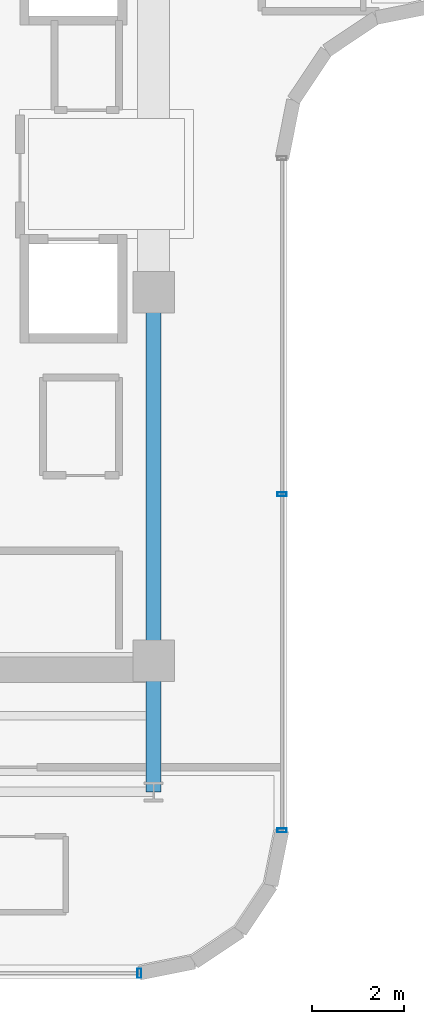
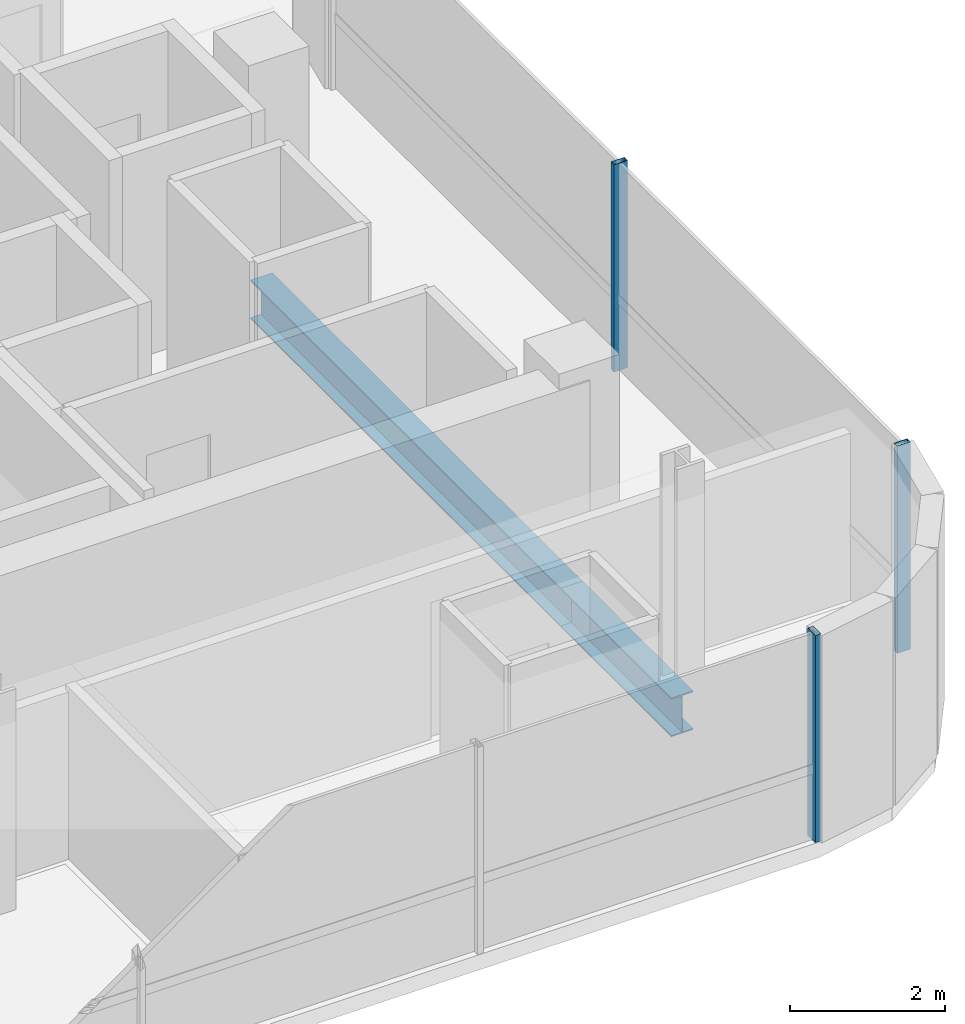
# One storey, part 5 of 22: 3 members, 2 beams, 2 elements without a shape of their own.
"""IFC4 building model written with IfcOpenShell, lengths in metres."""

from ifc_helpers import new_model, si_unit, direction, frame, origin, origin_2d, place, context, subcontext, project, spatial, hollow_rectangle, i_section, extrude, source, transform, mapped, material, material_profile, profile_set, type_object, element, aggregate, save


model = new_model("IFC4")

# Units and contexts
model_context = context("Model", 3, precision=1e-05, world=origin(), true_north=direction((0.0, 1.0)))
body_context = subcontext(model_context, "Body", "Model", "MODEL_VIEW")
ifc_project = project(units=[si_unit("LENGTHUNIT", "METRE"), si_unit("AREAUNIT", "SQUARE_METRE"), si_unit("VOLUMEUNIT", "CUBIC_METRE"), si_unit("PLANEANGLEUNIT", "RADIAN"), si_unit("MASSUNIT", "GRAM", prefix="KILO")], contexts=[model_context])

# Site, building, storey
site_placement = place(None, origin())
site = spatial("IfcSite", under=ifc_project, at=site_placement, CompositionType="ELEMENT")
building_placement = place(site_placement, origin())
building = spatial("IfcBuilding", under=site, at=building_placement, Name="Valdorenza Pilgrim Sanctuary Tower", CompositionType="ELEMENT")
storey_placement = place(building_placement, frame((0.0, 0.0, 212.5)))
storey = spatial("IfcBuildingStorey", under=building, at=storey_placement, Name="L54", CompositionType="ELEMENT", Elevation=212.5)

# Beams
ifc_material_1 = material(Name="Steel ASTM A992 Grade 50", Category="steel")
ifc_material_profile_1 = material_profile(ifc_material_1, i_section(OverallWidth=0.323974609375, OverallDepth=0.611083984375, WebThickness=0.0126953125, FlangeThickness=0.01904296875, at=origin_2d()), Name="W24X104")
ifc_profile_set_1 = profile_set([ifc_material_profile_1], Name="Steel ASTM A992 Grade 50")
beam_type = type_object("IfcBeamType", Name="STR-BM-GRD-W24B", PredefinedType="BEAM", material=ifc_profile_set_1)
shared_shape_1 = source(origin(), body_context, "Body", "SweptSolid", [
    extrude(i_section(OverallWidth=0.323974609375, OverallDepth=0.611083984375, WebThickness=0.0126953125, FlangeThickness=0.01904296875, at=origin_2d()), origin(), (0.0, 0.0, 1.0), 8.0),
])
beam_1_placement = place(storey_placement, frame((-12.39990234375, -10.60009765625, -0.54541015625), z_axis=(0.0, 1.0, 0.0), x_axis=(-1.0, 0.0, 0.0)))
element("IfcBeam", 1, at=beam_1_placement, inside=storey, type_object=beam_type, Name="L54 Core Tie Girder CA-E-S1M0", PredefinedType="BEAM", context=body_context, shape_type="MappedRepresentation", body=[
    mapped(shared_shape_1, transform((0.0, 0.0, 0.0), x_axis=(1.0, 0.0, 0.0), y_axis=(0.0, 1.0, 0.0), z_axis=(0.0, 0.0, 1.0), scale=1.0)),
])
shared_shape_2 = source(origin(), body_context, "Body", "SweptSolid", [
    extrude(i_section(OverallWidth=0.323974609375, OverallDepth=0.611083984375, WebThickness=0.0126953125, FlangeThickness=0.01904296875, at=origin_2d()), origin(), (0.0, 0.0, 1.0), 2.849853515625),
])
beam_2_placement = place(storey_placement, frame((-12.39990234375, -13.449951171875, -0.54541015625), z_axis=(0.0, 1.0, 0.0), x_axis=(-1.0, 0.0, 0.0)))
element("IfcBeam", 2, at=beam_2_placement, inside=storey, type_object=beam_type, Name="L54 Floor Girder WA-S-LE", PredefinedType="BEAM", context=body_context, shape_type="MappedRepresentation", body=[
    mapped(shared_shape_2, transform((0.0, 0.0, 0.0), x_axis=(1.0, 0.0, 0.0), y_axis=(0.0, 1.0, 0.0), z_axis=(0.0, 0.0, 1.0), scale=1.0)),
])

# Curtain wall, members
ifc_material_2 = material(Name="Curtain-wall IGU glazing", Category="glass")
curtain_wall_type = type_object("IfcCurtainWallType", Name="CW-SYS-02", PredefinedType="NOTDEFINED", material=ifc_material_2)
curtain_wall_1_placement = place(storey_placement, origin())
curtain_wall_1 = element("IfcCurtainWall", 3, at=curtain_wall_1_placement, inside=storey, type_object=curtain_wall_type, Name="L54 Curtain Wall CW-L54-1-21", PredefinedType="NOTDEFINED")
ifc_material_3 = material(Name="Anodised aluminium AW-6060", Category="aluminium")
ifc_material_profile_2 = material_profile(ifc_material_3, hollow_rectangle(XDim=0.0849609375, YDim=0.199951171875, WallThickness=0.0048828125, at=origin_2d()), Name="ALU-M 200x85x5")
ifc_profile_set_2 = profile_set([ifc_material_profile_2], Name="Anodised aluminium AW-6060")
member_type = type_object("IfcMemberType", Name="CW-MUL-02", PredefinedType="MULLION", material=ifc_profile_set_2)
shared_shape_3 = source(origin(), body_context, "Body", "SweptSolid", [
    extrude(hollow_rectangle(XDim=0.0849609375, YDim=0.199951171875, WallThickness=0.0048828125, at=origin_2d()), origin(), (0.0, 0.0, 1.0), 3.260009765625),
])
member_1_placement = place(storey_placement, frame((-9.610107421875, -6.9892578125, 0.0), z_axis=(0.0, 0.0, 1.0), x_axis=(0.0, -1.0, 0.0)))
member_1 = element("IfcMember", 4, at=member_1_placement, type_object=member_type, Name="CW-L54-1-21 Mullion 2", PredefinedType="MULLION", context=body_context, shape_type="MappedRepresentation", body=[
    mapped(shared_shape_3, transform((0.0, 0.0, 0.0), x_axis=(1.0, 0.0, 0.0), y_axis=(0.0, 1.0, 0.0), z_axis=(0.0, 0.0, 1.0), scale=1.0)),
])
member_2_placement = place(storey_placement, frame((-9.610107421875, -14.289306640625, 0.0), z_axis=(0.0, 0.0, 1.0), x_axis=(0.0, -1.0, 0.0)))
member_2 = element("IfcMember", 5, at=member_2_placement, type_object=member_type, Name="CW-L54-1-21 Mullion 3", PredefinedType="MULLION", context=body_context, shape_type="MappedRepresentation", body=[
    mapped(shared_shape_3, transform((0.0, 0.0, 0.0), x_axis=(1.0, 0.0, 0.0), y_axis=(0.0, 1.0, 0.0), z_axis=(0.0, 0.0, 1.0), scale=1.0)),
])
aggregate(curtain_wall_1, [member_1, member_2])

# Curtain wall, member
curtain_wall_2_placement = place(storey_placement, origin())
curtain_wall_2 = element("IfcCurtainWall", 6, at=curtain_wall_2_placement, inside=storey, type_object=curtain_wall_type, Name="L54 Curtain Wall CW-L54-1-26", PredefinedType="NOTDEFINED")
member_3_placement = place(storey_placement, frame((-12.710693359375, -17.389892578125, 0.0), z_axis=(0.0, 0.0, 1.0), x_axis=(-1.0, 0.0, 0.0)))
member_3 = element("IfcMember", 7, at=member_3_placement, type_object=member_type, Name="CW-L54-1-26 Mullion 1", PredefinedType="MULLION", context=body_context, shape_type="MappedRepresentation", body=[
    mapped(shared_shape_3, transform((0.0, 0.0, 0.0), x_axis=(1.0, 0.0, 0.0), y_axis=(0.0, 1.0, 0.0), z_axis=(0.0, 0.0, 1.0), scale=1.0)),
])
aggregate(curtain_wall_2, [member_3])

save(model, "model.ifc")
